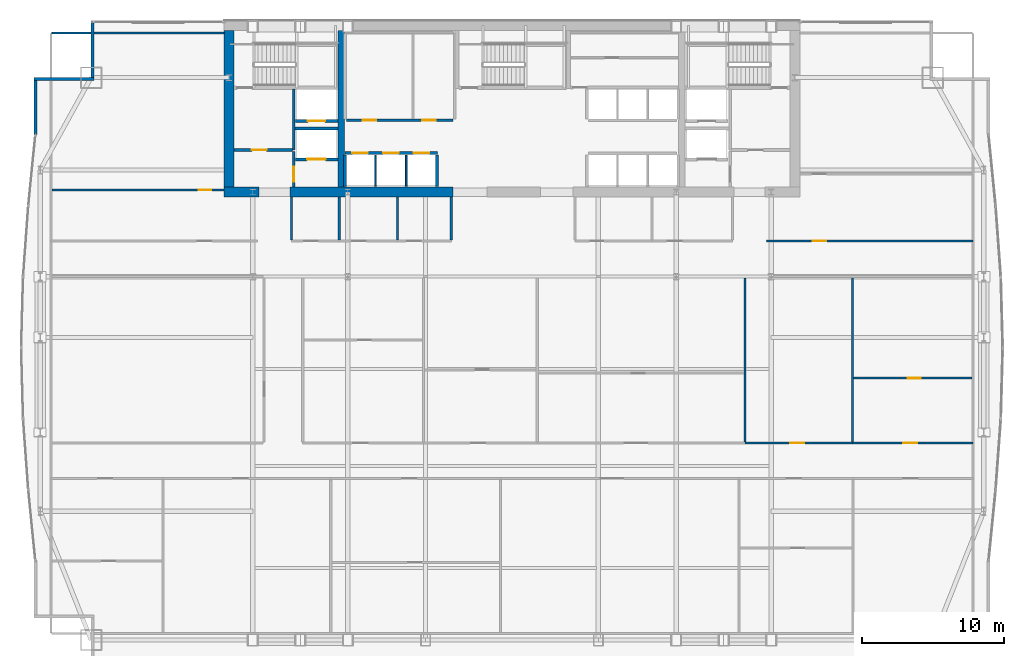
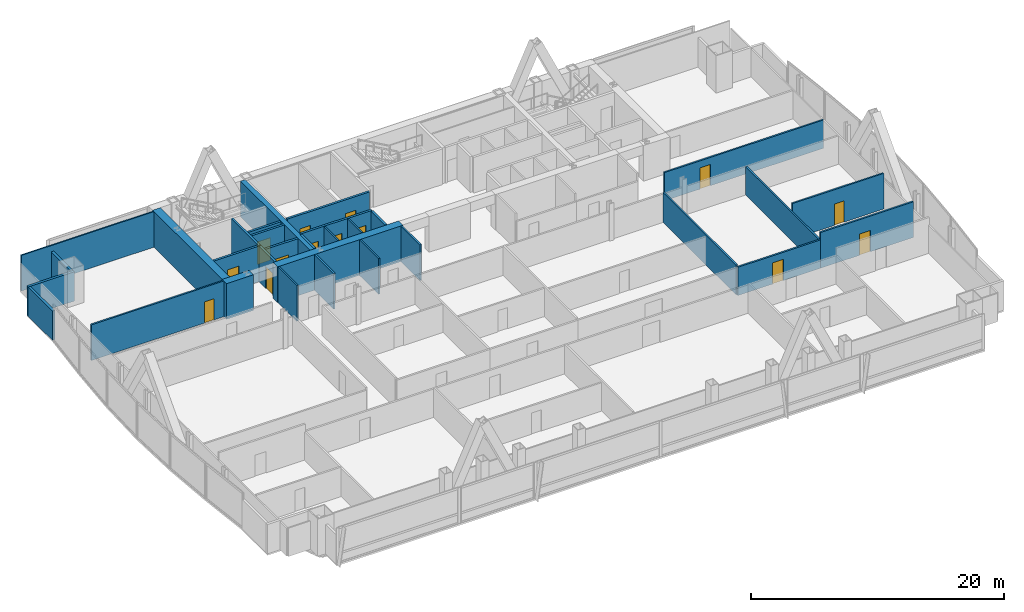
# One storey, part 27 of 31: 31 walls, 14 doors, 14 openings.
"""IFC4 building model written with IfcOpenShell, lengths in metres."""

import ifcopenshell
import ifcopenshell.guid

model = None  # the IFC model being written
_history = None  # IfcOwnerHistory: only IFC2X3 demands one
_inside = {}  # id of a spatial element -> (the spatial element, [elements in it])
_under = {}  # id of a project, library or spatial element -> (it, [spatial elements below it])
_declared = {}  # id of a project -> (the project, [libraries it declares])
_typed = {}  # id of a type object -> (the type object, [elements of that type])
_made_of = {}  # id of a material, layer set ... -> (it, [elements and type objects made of it])


def new_model(schema):
    """Start an empty IFC model of exactly this schema.

    Asked for "IFC4X3", IfcOpenShell would pick the latest addendum, in which some entities
    have other attributes; the version numbers below select the first issue.
    IFC2X3 requires an IfcOwnerHistory on every rooted entity: one is made here for all.
    """
    global model, _history
    if schema == "IFC4X3":
        model = ifcopenshell.file(schema_version=(4, 3, 0, 0))
    else:
        model = ifcopenshell.file(schema=schema)
    _inside.clear()
    _under.clear()
    _declared.clear()
    _typed.clear()
    _made_of.clear()
    _history = None
    if model.schema == "IFC2X3":
        org = make("IfcOrganization", Name="unknown")
        user = make(
            "IfcPersonAndOrganization",
            ThePerson=make("IfcPerson", FamilyName="unknown"),
            TheOrganization=org,
        )
        app = make(
            "IfcApplication",
            ApplicationDeveloper=org,
            Version="unknown",
            ApplicationFullName="unknown",
            ApplicationIdentifier="unknown",
        )
        _history = make(
            "IfcOwnerHistory",
            OwningUser=user,
            OwningApplication=app,
            ChangeAction="ADDED",
            CreationDate=0,
        )
    return model


def make(cls, **values):
    """One entity of the class cls with the attributes given. An attribute that is None is left unset."""
    return model.create_entity(
        cls, **{name: value for name, value in values.items() if value is not None}
    )


def rooted(cls, **values):
    """An entity with a GlobalId (a new one), such as an element, a storey or a relation."""
    return make(cls, GlobalId=ifcopenshell.guid.new(), OwnerHistory=_history, **values)


def si_unit(unit_type, name, prefix=None):
    """IfcSIUnit, for example si_unit("LENGTHUNIT", "METRE", prefix="MILLI")."""
    return make("IfcSIUnit", UnitType=unit_type, Prefix=prefix, Name=name)


def assignment(units):
    """IfcUnitAssignment: the units of a project."""
    return None if units is None else make("IfcUnitAssignment", Units=units)


def point(xyz):
    """IfcCartesianPoint."""
    return None if xyz is None else make("IfcCartesianPoint", Coordinates=xyz)


def direction(xyz):
    """IfcDirection."""
    return None if xyz is None else make("IfcDirection", DirectionRatios=xyz)


def frame(location, z_axis=None, x_axis=None):
    """IfcAxis2Placement3D, a coordinate frame: its origin and axes. An axis left out is left unset."""
    return make(
        "IfcAxis2Placement3D",
        Location=point(location),
        Axis=direction(z_axis),
        RefDirection=direction(x_axis),
    )


def frame_2d(location, x_axis=None):
    """IfcAxis2Placement2D, a coordinate frame in the plane: its origin and x axis."""
    return make(
        "IfcAxis2Placement2D", Location=point(location), RefDirection=direction(x_axis)
    )


def origin():
    """The frame at (0, 0, 0) with its axes left unset."""
    return frame((0.0, 0.0, 0.0))


def place(relative_to, where):
    """IfcLocalPlacement: puts the frame where relative to a parent placement (None: the world)."""
    return make(
        "IfcLocalPlacement", PlacementRelTo=relative_to, RelativePlacement=where
    )


def context(
    kind, dimensions, precision=None, world=None, true_north=None, identifier=None
):
    """IfcGeometricRepresentationContext, for example the 3D "Model" context."""
    return make(
        "IfcGeometricRepresentationContext",
        ContextIdentifier=identifier,
        ContextType=kind,
        CoordinateSpaceDimension=dimensions,
        Precision=precision,
        WorldCoordinateSystem=world,
        TrueNorth=true_north,
    )


def subcontext(parent, identifier, kind, view, scale=None):
    """IfcGeometricRepresentationSubContext, for example "Body" below "Model"."""
    return make(
        "IfcGeometricRepresentationSubContext",
        ContextIdentifier=identifier,
        ContextType=kind,
        ParentContext=parent,
        TargetScale=scale,
        TargetView=view,
    )


def project(units=None, contexts=None):
    """IfcProject with its units and contexts."""
    return rooted(
        "IfcProject",
        Name="project",
        RepresentationContexts=contexts,
        UnitsInContext=assignment(units),
    )


def spatial(cls, under=None, at=None, **own):
    """A site, building, storey or space (cls), placed at a placement, below another one or the project."""
    s = rooted(cls, ObjectPlacement=at, **own)
    if under is not None:
        _under.setdefault(under.id(), (under, []))[1].append(s)
    return s


def profile(cls, at=None, kind="AREA", **sizes):
    """A parametric profile (cls). Its sizes go by their IFC names, for example OverallWidth=200.0."""
    return make(cls, ProfileType=kind, Position=at, **sizes)


def rectangle(**sizes):
    """IfcRectangleProfileDef."""
    return profile("IfcRectangleProfileDef", **sizes)


def extrude(swept, where, along, depth):
    """IfcExtrudedAreaSolid: the profile swept, set in the frame where, extruded along a direction by depth."""
    return make(
        "IfcExtrudedAreaSolid",
        SweptArea=swept,
        Position=where,
        ExtrudedDirection=direction(along),
        Depth=depth,
    )


def shape(context_of_items, identifier, shape_type, items):
    """IfcShapeRepresentation: the items that make up one representation, for example the "Body"."""
    return make(
        "IfcShapeRepresentation",
        ContextOfItems=context_of_items,
        RepresentationIdentifier=identifier,
        RepresentationType=shape_type,
        Items=items,
    )


def material(Name=None, Category=None):
    """IfcMaterial."""
    return make("IfcMaterial", Name=Name, Category=Category)


def layer(
    of_material, thickness, ventilated=None, Name=None, Category=None, Priority=None
):
    """IfcMaterialLayer: one layer of a wall or slab, of a material (None: an air gap)."""
    return make(
        "IfcMaterialLayer",
        Material=of_material,
        LayerThickness=thickness,
        IsVentilated=ventilated,
        Name=Name,
        Category=Category,
        Priority=Priority,
    )


def layer_set(layers, Name=None):
    """IfcMaterialLayerSet."""
    return make("IfcMaterialLayerSet", MaterialLayers=layers, LayerSetName=Name)


def made_of(thing, what):
    """Note that an element or type object is made of a material, layer set ...; save() writes the relation."""
    if what is not None:
        _made_of.setdefault(what.id(), (what, []))[1].append(thing)
    return thing


def type_object(cls, material=None, **own):
    """A type object (cls), such as IfcWallType, which elements share."""
    return made_of(rooted(cls, **own), material)


def element(
    cls,
    number,
    at=None,
    inside=None,
    cuts=None,
    type_object=None,
    material=None,
    context=None,
    identifier="Body",
    shape_type=None,
    held_by="IfcProductDefinitionShape",
    body=None,
    shapes=None,
    **own,
):
    """One element of the class cls, such as IfcWall. Its Tag is "e" and its number.

    at: its placement. inside: the storey or other place that contains it. cuts: it is an
    opening in that element (IfcRelVoidsElement). A single representation is given by context,
    identifier, shape_type and body (its items); several are given by shapes. held_by: the class
    of the entity that holds the representations. save() writes the other relations.
    """
    e = rooted(cls, Tag="e%d" % number, ObjectPlacement=at, **own)
    if body is not None:
        shapes = [shape(context, identifier, shape_type, body)]
    if shapes is not None:
        e.Representation = make(held_by, Representations=shapes)
    if inside is not None:
        _inside.setdefault(inside.id(), (inside, []))[1].append(e)
    if cuts is not None:
        rooted(
            "IfcRelVoidsElement", RelatingBuildingElement=cuts, RelatedOpeningElement=e
        )
    if type_object is not None:
        _typed.setdefault(type_object.id(), (type_object, []))[1].append(e)
    return made_of(e, material)


def fill(opening, filler):
    """IfcRelFillsElement: the door or window that sits in an opening."""
    return rooted(
        "IfcRelFillsElement",
        RelatingOpeningElement=opening,
        RelatedBuildingElement=filler,
    )


def aggregate(whole, parts):
    """IfcRelAggregates: a whole, such as a stair, and the parts it consists of."""
    return rooted("IfcRelAggregates", RelatingObject=whole, RelatedObjects=parts)


def save(model, path):
    """Write the relations noted so far, then the file.

    IfcRelAggregates (storeys below a building ...), IfcRelContainedInSpatialStructure (elements
    in a storey), IfcRelDefinesByType, IfcRelAssociatesMaterial and IfcRelDeclares: one each for
    every whole, place, type object, material and project.
    """
    for whole, parts in _under.values():
        aggregate(whole, parts)
    for where, things in _inside.values():
        rooted(
            "IfcRelContainedInSpatialStructure",
            RelatedElements=things,
            RelatingStructure=where,
        )
    for kind, things in _typed.values():
        rooted("IfcRelDefinesByType", RelatedObjects=things, RelatingType=kind)
    for what, things in _made_of.values():
        rooted("IfcRelAssociatesMaterial", RelatedObjects=things, RelatingMaterial=what)
    for by, libraries in _declared.values():
        rooted("IfcRelDeclares", RelatingContext=by, RelatedDefinitions=libraries)
    model.write(path)


model = new_model("IFC4")

# Units and contexts
model_context = context("Model", 3, precision=1e-05, world=origin(), true_north=direction((0.0, 1.0)))
body_context = subcontext(model_context, "Body", "Model", "MODEL_VIEW")
ifc_project = project(units=[si_unit("LENGTHUNIT", "METRE"), si_unit("AREAUNIT", "SQUARE_METRE"), si_unit("VOLUMEUNIT", "CUBIC_METRE"), si_unit("PLANEANGLEUNIT", "RADIAN"), si_unit("MASSUNIT", "GRAM", prefix="KILO")], contexts=[model_context])

# Site, building, storey
site_placement = place(None, origin())
site = spatial("IfcSite", under=ifc_project, at=site_placement, CompositionType="ELEMENT")
building_placement = place(site_placement, origin())
building = spatial("IfcBuilding", under=site, at=building_placement, Name="Khoronbel Lancet Exchange", CompositionType="ELEMENT")
storey_placement = place(building_placement, frame((0.0, 0.0, 129.0)))
storey = spatial("IfcBuildingStorey", under=building, at=storey_placement, Name="L31", CompositionType="ELEMENT", Elevation=129.0)

# Walls
ifc_material_1 = material(Name="Concrete C80/95", Category="concrete")
ifc_layer_1 = layer(ifc_material_1, 0.699951171875, Name="Concrete C80/95")
ifc_layer_set_1 = layer_set([ifc_layer_1], Name="Concrete C80/95")
wall_type_1 = type_object("IfcWallType", Name="WL-CW2", PredefinedType="SHEAR", material=ifc_layer_set_1)
wall_1_placement = place(storey_placement, frame((16.550048828125, 42.0, 0.0), z_axis=(0.0, 0.0, 1.0), x_axis=(0.0, 1.0, 0.0)))
element("IfcWall", 1, at=wall_1_placement, inside=storey, type_object=wall_type_1, Name="Level L31 rear core west shear wall", PredefinedType="SHEAR", context=body_context, shape_type="SweptSolid", body=[
    extrude(rectangle(XDim=11.0, YDim=0.699951171875, at=frame_2d((5.5, 0.0))), origin(), (0.0, 0.0, 1.0), 3.43994140625),
])
wall_2_placement = place(storey_placement, frame((18.64990234375, 41.64990234375, 0.0), z_axis=(0.0, 0.0, 1.0), x_axis=(-1.0, 0.0, 0.0)))
element("IfcWall", 2, at=wall_2_placement, inside=storey, type_object=wall_type_1, Name="Level L31 rear core south shear wall pier P1", PredefinedType="SHEAR", context=body_context, shape_type="SweptSolid", body=[
    extrude(rectangle(XDim=2.449951171875, YDim=0.699951171875, at=frame_2d((1.22509765625, 0.0))), origin(), (0.0, 0.0, 1.0), 3.43994140625),
])
wall_3_placement = place(storey_placement, frame((32.300048828125, 41.64990234375, 0.0), z_axis=(0.0, 0.0, 1.0), x_axis=(-1.0, 0.0, 0.0)))
element("IfcWall", 3, at=wall_3_placement, inside=storey, type_object=wall_type_1, Name="Level L31 rear core south shear wall pier P2", PredefinedType="SHEAR", context=body_context, shape_type="SweptSolid", body=[
    extrude(rectangle(XDim=11.449951171875, YDim=0.699951171875, at=frame_2d((5.72509765625, 0.0))), origin(), (0.0, 0.0, 1.0), 3.43994140625),
])
ifc_material_2 = material(Name="Precast concrete C40/50", Category="concrete")
ifc_layer_2 = layer(ifc_material_2, 0.25, Name="Precast concrete C40/50")
ifc_layer_set_2 = layer_set([ifc_layer_2], Name="Precast concrete C40/50")
wall_type_2 = type_object("IfcWallType", Name="WL-EXT250", PredefinedType="SOLIDWALL", material=ifc_layer_set_2)
wall_4_placement = place(storey_placement, frame((2.93994140625, 45.675537109375, 0.0), z_axis=(0.0, 0.0, 1.0), x_axis=(0.0, 1.0, 0.0)))
element("IfcWall", 4, at=wall_4_placement, inside=storey, type_object=wall_type_2, Name="Level L31 notched-corner limestone pier 10", PredefinedType="SOLIDWALL", context=body_context, shape_type="SweptSolid", body=[
    extrude(rectangle(XDim=3.824462890625, YDim=0.219970703125, at=frame_2d((1.912109375, 0.0))), origin(), (0.0, 0.0, 1.0), 2.830078125),
])
wall_5_placement = place(storey_placement, frame((2.830078125, 49.610107421875, 0.0), z_axis=(0.0, 0.0, 1.0), x_axis=(1.0, 0.0, 0.0)))
element("IfcWall", 5, at=wall_5_placement, inside=storey, type_object=wall_type_2, Name="Level L31 notched-corner limestone pier 11", PredefinedType="SOLIDWALL", context=body_context, shape_type="SweptSolid", body=[
    extrude(rectangle(XDim=4.219970703125, YDim=0.219970703125, at=frame_2d((2.10986328125, 0.0))), origin(), (0.0, 0.0, 1.0), 2.830078125),
])
wall_6_placement = place(storey_placement, frame((6.93994140625, 49.719970703125, 0.0), z_axis=(0.0, 0.0, 1.0), x_axis=(0.0, 1.0, 0.0)))
element("IfcWall", 6, at=wall_6_placement, inside=storey, type_object=wall_type_2, Name="Level L31 notched-corner limestone pier 12", PredefinedType="SOLIDWALL", context=body_context, shape_type="SweptSolid", body=[
    extrude(rectangle(XDim=3.909912109375, YDim=0.219970703125, at=frame_2d((1.955078125, 0.0))), origin(), (0.0, 0.0, 1.0), 2.830078125),
])
ifc_material_3 = material(Name="Acoustic Metal-Stud & Mineral-Wool Gypsum Partition 120 mm", Category="gypsum")
ifc_layer_3 = layer(ifc_material_3, 0.1201171875, Name="Acoustic Metal-Stud & Mineral-Wool Gypsum Partition 120 mm")
ifc_layer_set_3 = layer_set([ifc_layer_3], Name="Acoustic Metal-Stud & Mineral-Wool Gypsum Partition 120 mm")
wall_type_3 = type_object("IfcWallType", Name="WL-PRT120", PredefinedType="PARTITIONING", material=ifc_layer_set_3)
for number, where, z_axis, x_axis, name in (
    (7, (20.949951171875, 38.280029296875, 0.0), (0.0, 0.0, 1.0), (0.0, 1.0, 0.0), "Level L31 interior partition PW-WC-0"),
    (8, (24.300048828125, 38.280029296875, 0.0), (0.0, 0.0, 1.0), (0.0, 1.0, 0.0), "Level L31 interior partition PW-WC-1"),
    (9, (28.39990234375, 38.280029296875, 0.0), (0.0, 0.0, 1.0), (0.0, 1.0, 0.0), "Level L31 interior partition PW-WC-2"),
    (10, (32.179931640625, 38.280029296875, 0.0), (0.0, 0.0, 1.0), (0.0, 1.0, 0.0), "Level L31 interior partition PW-WC-3"),
):
    element("IfcWall", number, at=place(storey_placement, frame(where, z_axis=z_axis, x_axis=x_axis)), inside=storey, type_object=wall_type_3, Name=name, PredefinedType="PARTITIONING", context=body_context, shape_type="SweptSolid", body=[
        extrude(rectangle(XDim=3.02001953125, YDim=0.14990234375, at=frame_2d((1.510009765625, 0.0))), origin(), (0.0, 0.0, 1.0), 3.43994140625),
    ])

# Wall, opening, door
wall_7_placement = place(storey_placement, frame((4.094970703125, 41.800048828125, 0.0), z_axis=(0.0, 0.0, 1.0), x_axis=(1.0, 0.0, 0.0)))
wall_7 = element("IfcWall", 11, at=wall_7_placement, inside=storey, type_object=wall_type_3, Name="Level L31 interior partition PW-NW-H", PredefinedType="PARTITIONING", context=body_context, shape_type="SweptSolid", body=[
    extrude(rectangle(XDim=12.10498046875, YDim=0.14990234375, at=frame_2d((6.052490234375, 0.0))), origin(), (0.0, 0.0, 1.0), 3.43994140625),
])
opening_1_placement = place(wall_7_placement, frame((10.320068359375, 0.0, 0.0)))
opening_1 = element("IfcOpeningElement", 12, at=opening_1_placement, cuts=wall_7, Name="Opening D5", PredefinedType="OPENING", context=body_context, shape_type="SweptSolid", body=[
    extrude(rectangle(XDim=0.89990234375, YDim=2.050048828125, at=frame_2d((0.449951171875, 1.02490234375))), frame((0.0, 0.0849609375, 0.0), z_axis=(0.0, -1.0, 0.0), x_axis=(1.0, 0.0, 0.0)), (0.0, 0.0, 1.0), 0.169921875),
])
ifc_material_4 = material(Name="Acoustic Timber Pantry & Support Door", Category="wood")
door_type_1 = type_object("IfcDoorType", Name="DR-D5", OperationType="NOTDEFINED", PredefinedType="DOOR", material=ifc_material_4)
door_1_placement = place(opening_1_placement, origin())
door_1 = element("IfcDoor", 13, at=door_1_placement, inside=storey, type_object=door_type_1, Name="NW north room door L31-1", OperationType="SINGLE_SWING_RIGHT", OverallHeight=2.050048828125, OverallWidth=0.89990234375, PredefinedType="DOOR", context=body_context, shape_type="SweptSolid", body=[
    extrude(rectangle(XDim=0.89990234375, YDim=2.050048828125, at=frame_2d((0.449951171875, 1.02490234375))), frame((0.0, 0.02490234375, 0.0), z_axis=(0.0, -1.0, 0.0), x_axis=(1.0, 0.0, 0.0)), (0.0, 0.0, 1.0), 0.050048828125),
])
fill(opening_1, door_1)

wall_8_placement = place(storey_placement, frame((60.46484375, 28.56298828125, 0.0), z_axis=(0.0, 0.0, 1.0), x_axis=(1.0, 0.0, 0.0)))
wall_8 = element("IfcWall", 14, at=wall_8_placement, inside=storey, type_object=wall_type_3, Name="Level L31 interior partition PW-Z2N-H5", PredefinedType="PARTITIONING", context=body_context, shape_type="SweptSolid", body=[
    extrude(rectangle(XDim=8.340087890625, YDim=0.14990234375, at=frame_2d((4.169921875, 0.0))), origin(), (0.0, 0.0, 1.0), 3.43994140625),
])
opening_2_placement = place(wall_8_placement, frame((3.818359375, 0.0, 0.0)))
opening_2 = element("IfcOpeningElement", 15, at=opening_2_placement, cuts=wall_8, Name="Opening D5", PredefinedType="OPENING", context=body_context, shape_type="SweptSolid", body=[
    extrude(rectangle(XDim=0.89990234375, YDim=2.050048828125, at=frame_2d((0.449951171875, 1.02490234375))), frame((0.0, 0.0849609375, 0.0), z_axis=(0.0, -1.0, 0.0), x_axis=(1.0, 0.0, 0.0)), (0.0, 0.0, 1.0), 0.169921875),
])
door_2_placement = place(opening_2_placement, origin())
door_2 = element("IfcDoor", 16, at=door_2_placement, inside=storey, type_object=door_type_1, Name="Z2N inner door 5 L31-1", OperationType="SINGLE_SWING_RIGHT", OverallHeight=2.050048828125, OverallWidth=0.89990234375, PredefinedType="DOOR", context=body_context, shape_type="SweptSolid", body=[
    extrude(rectangle(XDim=0.89990234375, YDim=2.050048828125, at=frame_2d((0.449951171875, 1.02490234375))), frame((0.0, 0.02490234375, 0.0), z_axis=(0.0, -1.0, 0.0), x_axis=(1.0, 0.0, 0.0)), (0.0, 0.0, 1.0), 0.050048828125),
])
fill(opening_2, door_2)

# Walls
wall_9_placement = place(storey_placement, frame((4.094970703125, 52.840087890625, 0.0), z_axis=(0.0, 0.0, 1.0), x_axis=(1.0, 0.0, 0.0)))
element("IfcWall", 17, at=wall_9_placement, inside=storey, type_object=wall_type_3, Name="Level L31 interior partition PW-LIN-NW", PredefinedType="PARTITIONING", context=body_context, shape_type="SweptSolid", body=[
    extrude(rectangle(XDim=12.10498046875, YDim=0.1201171875, at=frame_2d((6.052490234375, 0.0))), origin(), (0.0, 0.0, 1.0), 3.43994140625),
])
ifc_material_5 = material(Name="Fire-Rated Metal-Stud & Mineral-Wool Gypsum Partition 120 mm", Category="gypsum")
ifc_layer_4 = layer(ifc_material_5, 0.1201171875, Name="Fire-Rated Metal-Stud & Mineral-Wool Gypsum Partition 120 mm")
ifc_layer_set_4 = layer_set([ifc_layer_4], Name="Fire-Rated Metal-Stud & Mineral-Wool Gypsum Partition 120 mm")
wall_type_4 = type_object("IfcWallType", Name="WL-PRT120F", PredefinedType="PARTITIONING", material=ifc_layer_set_4)
for number, where, z_axis, x_axis, name in (
    (18, (26.860107421875, 42.050048828125, 0.0), (0.0, 0.0, 1.0), (0.0, 1.0, 0.0), "Level L31 interior partition CW-PM-D1"),
    (19, (29.02001953125, 42.050048828125, 0.0), (0.0, 0.0, 1.0), (0.0, 1.0, 0.0), "Level L31 interior partition CW-PM-D2"),
):
    element("IfcWall", number, at=place(storey_placement, frame(where, z_axis=z_axis, x_axis=x_axis)), inside=storey, type_object=wall_type_4, Name=name, PredefinedType="PARTITIONING", context=body_context, shape_type="SweptSolid", body=[
        extrude(rectangle(XDim=2.199951171875, YDim=0.1201171875, at=frame_2d((1.10009765625, 0.0))), origin(), (0.0, 0.0, 1.0), 3.43994140625),
    ])

# Wall, opening, door
ifc_material_6 = material(Name="Fire-Rated Twin-Stud Acoustic Gypsum Partition 150 mm", Category="gypsum")
ifc_layer_5 = layer(ifc_material_6, 0.14990234375, Name="Fire-Rated Twin-Stud Acoustic Gypsum Partition 150 mm")
ifc_layer_set_5 = layer_set([ifc_layer_5], Name="Fire-Rated Twin-Stud Acoustic Gypsum Partition 150 mm")
wall_type_5 = type_object("IfcWallType", Name="WL-PRT150C", PredefinedType="PARTITIONING", material=ifc_layer_set_5)
wall_10_placement = place(storey_placement, frame((54.35009765625, 38.199951171875, 0.0), z_axis=(0.0, 0.0, 1.0), x_axis=(1.0, 0.0, 0.0)))
wall_10 = element("IfcWall", 20, at=wall_10_placement, inside=storey, type_object=wall_type_5, Name="Level L31 interior partition PW-NE-S", PredefinedType="PARTITIONING", context=body_context, shape_type="SweptSolid", body=[
    extrude(rectangle(XDim=14.52001953125, YDim=0.14990234375, at=frame_2d((7.260009765625, 0.0))), origin(), (0.0, 0.0, 1.0), 2.72998046875),
])
opening_3_placement = place(wall_10_placement, frame((3.25, 0.0, 0.0)))
opening_3 = element("IfcOpeningElement", 21, at=opening_3_placement, cuts=wall_10, Name="Opening D1", PredefinedType="OPENING", context=body_context, shape_type="SweptSolid", body=[
    extrude(rectangle(XDim=0.949951171875, YDim=2.050048828125, at=frame_2d((0.47509765625, 1.02490234375))), frame((0.0, 0.0849609375, 0.0), z_axis=(0.0, -1.0, 0.0), x_axis=(1.0, 0.0, 0.0)), (0.0, 0.0, 1.0), 0.169921875),
])
ifc_material_7 = material(Name="Acoustic Veneered Timber & Bronze Frame Door", Category="wood")
door_type_2 = type_object("IfcDoorType", Name="DR-D1", OperationType="NOTDEFINED", PredefinedType="DOOR", material=ifc_material_7)
door_3_placement = place(opening_3_placement, origin())
door_3 = element("IfcDoor", 22, at=door_3_placement, inside=storey, type_object=door_type_2, Name="NE corner room door L31-1", OperationType="SINGLE_SWING_LEFT", OverallHeight=2.050048828125, OverallWidth=0.949951171875, PredefinedType="DOOR", context=body_context, shape_type="SweptSolid", body=[
    extrude(rectangle(XDim=0.949951171875, YDim=2.050048828125, at=frame_2d((0.47509765625, 1.02490234375))), frame((0.0, 0.02490234375, 0.0), z_axis=(0.0, -1.0, 0.0), x_axis=(1.0, 0.0, 0.0)), (0.0, 0.0, 1.0), 0.050048828125),
])
fill(opening_3, door_3)

# Walls
wall_11_placement = place(storey_placement, frame((52.84228515625, 24.0849609375, 0.0), z_axis=(0.0, 0.0, 1.0), x_axis=(0.0, 1.0, 0.0)))
element("IfcWall", 23, at=wall_11_placement, inside=storey, type_object=wall_type_5, Name="Level L31 interior partition PW-Z2N-V3", PredefinedType="PARTITIONING", context=body_context, shape_type="SweptSolid", body=[
    extrude(rectangle(XDim=11.53515625, YDim=0.14990234375, at=frame_2d((5.767578125, 0.0))), origin(), (0.0, 0.0, 1.0), 2.8798828125),
])
wall_12_placement = place(storey_placement, frame((60.384765625, 24.0849609375, 0.0), z_axis=(0.0, 0.0, 1.0), x_axis=(0.0, 1.0, 0.0)))
element("IfcWall", 24, at=wall_12_placement, inside=storey, type_object=wall_type_5, Name="Level L31 interior partition PW-Z2N-V4", PredefinedType="PARTITIONING", context=body_context, shape_type="SweptSolid", body=[
    extrude(rectangle(XDim=11.53515625, YDim=0.14990234375, at=frame_2d((5.767578125, 0.0))), origin(), (0.0, 0.0, 1.0), 2.72998046875),
])

# Wall, opening, door
ifc_material_8 = material(Name="Fire-Rated Twin-Stud Acoustic Gypsum Partition 160 mm", Category="gypsum")
ifc_layer_6 = layer(ifc_material_8, 0.159912109375, Name="Fire-Rated Twin-Stud Acoustic Gypsum Partition 160 mm")
ifc_layer_set_6 = layer_set([ifc_layer_6], Name="Fire-Rated Twin-Stud Acoustic Gypsum Partition 160 mm")
wall_type_6 = type_object("IfcWallType", Name="WL-PRT160C", PredefinedType="PARTITIONING", material=ifc_layer_set_6)
wall_13_placement = place(storey_placement, frame((52.84228515625, 24.0, 0.0), z_axis=(0.0, 0.0, 1.0), x_axis=(1.0, 0.0, 0.0)))
wall_13 = element("IfcWall", 25, at=wall_13_placement, inside=storey, type_object=wall_type_6, Name="Level L31 interior partition PW-Z2N-COR4", PredefinedType="PARTITIONING", context=body_context, shape_type="SweptSolid", body=[
    extrude(rectangle(XDim=7.54248046875, YDim=0.159912109375, at=frame_2d((3.771240234375, 0.0))), origin(), (0.0, 0.0, 1.0), 2.72998046875),
])
opening_4_placement = place(wall_13_placement, frame((3.167724609375, 0.0, 0.0)))
opening_4 = element("IfcOpeningElement", 26, at=opening_4_placement, cuts=wall_13, Name="Opening D2", PredefinedType="OPENING", context=body_context, shape_type="SweptSolid", body=[
    extrude(rectangle(XDim=1.0, YDim=2.050048828125, at=frame_2d((0.5, 1.02490234375))), frame((0.0, 0.08984375, 0.0), z_axis=(0.0, -1.0, 0.0), x_axis=(1.0, 0.0, 0.0)), (0.0, 0.0, 1.0), 0.179931640625),
])
door_type_3 = type_object("IfcDoorType", Name="DR-D2", OperationType="NOTDEFINED", PredefinedType="DOOR", material=ifc_material_7)
door_4_placement = place(opening_4_placement, origin())
door_4 = element("IfcDoor", 27, at=door_4_placement, inside=storey, type_object=door_type_3, Name="Z2N bay 4 door L31-1", OperationType="SINGLE_SWING_RIGHT", OverallHeight=2.050048828125, OverallWidth=1.0, PredefinedType="DOOR", context=body_context, shape_type="SweptSolid", body=[
    extrude(rectangle(XDim=1.0, YDim=2.050048828125, at=frame_2d((0.5, 1.02490234375))), frame((0.0, 0.02490234375, 0.0), z_axis=(0.0, -1.0, 0.0), x_axis=(1.0, 0.0, 0.0)), (0.0, 0.0, 1.0), 0.050048828125),
])
fill(opening_4, door_4)

wall_14_placement = place(storey_placement, frame((60.384765625, 24.0, 0.0), z_axis=(0.0, 0.0, 1.0), x_axis=(1.0, 0.0, 0.0)))
wall_14 = element("IfcWall", 28, at=wall_14_placement, inside=storey, type_object=wall_type_6, Name="Level L31 interior partition PW-Z2N-COR5", PredefinedType="PARTITIONING", context=body_context, shape_type="SweptSolid", body=[
    extrude(rectangle(XDim=8.4853515625, YDim=0.159912109375, at=frame_2d((4.24267578125, 0.0))), origin(), (0.0, 0.0, 1.0), 3.43994140625),
])
opening_5_placement = place(wall_14_placement, frame((3.563720703125, 0.0, 0.0)))
opening_5 = element("IfcOpeningElement", 29, at=opening_5_placement, cuts=wall_14, Name="Opening D2", PredefinedType="OPENING", context=body_context, shape_type="SweptSolid", body=[
    extrude(rectangle(XDim=1.0, YDim=2.050048828125, at=frame_2d((0.5, 1.02490234375))), frame((0.0, 0.08984375, 0.0), z_axis=(0.0, -1.0, 0.0), x_axis=(1.0, 0.0, 0.0)), (0.0, 0.0, 1.0), 0.179931640625),
])
door_5_placement = place(opening_5_placement, origin())
door_5 = element("IfcDoor", 30, at=door_5_placement, inside=storey, type_object=door_type_3, Name="Z2N bay 5 door L31-1", OperationType="SINGLE_SWING_LEFT", OverallHeight=2.050048828125, OverallWidth=1.0, PredefinedType="DOOR", context=body_context, shape_type="SweptSolid", body=[
    extrude(rectangle(XDim=1.0, YDim=2.050048828125, at=frame_2d((0.5, 1.02490234375))), frame((0.0, 0.02490234375, 0.0), z_axis=(0.0, -1.0, 0.0), x_axis=(1.0, 0.0, 0.0)), (0.0, 0.0, 1.0), 0.050048828125),
])
fill(opening_5, door_5)

# Wall, openings, doors
ifc_material_9 = material(Name="Autoclaved Aerated Concrete Blockwork 200 mm", Category="masonry")
ifc_layer_7 = layer(ifc_material_9, 0.199951171875, Name="Autoclaved Aerated Concrete Blockwork 200 mm")
ifc_layer_set_7 = layer_set([ifc_layer_7], Name="Autoclaved Aerated Concrete Blockwork 200 mm")
wall_type_7 = type_object("IfcWallType", Name="WL-PRT200", PredefinedType="PARTITIONING", material=ifc_layer_set_7)
wall_15_placement = place(storey_placement, frame((24.68994140625, 44.39990234375, 0.0), z_axis=(0.0, 0.0, 1.0), x_axis=(1.0, 0.0, 0.0)))
wall_15 = element("IfcWall", 31, at=wall_15_placement, inside=storey, type_object=wall_type_7, Name="Level L31 elevator hoistway landing front wall PMW", PredefinedType="PARTITIONING", context=body_context, shape_type="SweptSolid", body=[
    extrude(rectangle(XDim=6.530029296875, YDim=0.199951171875, at=frame_2d((3.26513671875, 0.0))), origin(), (0.0, 0.0, 1.0), 3.43994140625),
])
opening_6_placement = place(wall_15_placement, frame((0.530029296875, 0.0, 0.0)))
opening_6 = element("IfcOpeningElement", 32, at=opening_6_placement, cuts=wall_15, Name="Opening LD-PM1", PredefinedType="OPENING", context=body_context, shape_type="SweptSolid", body=[
    extrude(rectangle(XDim=1.10009765625, YDim=2.179931640625, at=frame_2d((0.550048828125, 1.08984375))), frame((0.0, 0.10986328125, 0.0), z_axis=(0.0, -1.0, 0.0), x_axis=(1.0, 0.0, 0.0)), (0.0, 0.0, 1.0), 0.219970703125),
])
opening_7_placement = place(wall_15_placement, frame((2.68994140625, 0.0, 0.0)))
opening_7 = element("IfcOpeningElement", 33, at=opening_7_placement, cuts=wall_15, Name="Opening LD-PM2", PredefinedType="OPENING", context=body_context, shape_type="SweptSolid", body=[
    extrude(rectangle(XDim=1.10009765625, YDim=2.179931640625, at=frame_2d((0.550048828125, 1.08984375))), frame((0.0, 0.10986328125, 0.0), z_axis=(0.0, -1.0, 0.0), x_axis=(1.0, 0.0, 0.0)), (0.0, 0.0, 1.0), 0.219970703125),
])
opening_8_placement = place(wall_15_placement, frame((4.85009765625, 0.0, 0.0)))
opening_8 = element("IfcOpeningElement", 34, at=opening_8_placement, cuts=wall_15, Name="Opening LD-PM3", PredefinedType="OPENING", context=body_context, shape_type="SweptSolid", body=[
    extrude(rectangle(XDim=1.10009765625, YDim=2.179931640625, at=frame_2d((0.550048828125, 1.08984375))), frame((0.0, 0.10986328125, 0.0), z_axis=(0.0, -1.0, 0.0), x_axis=(1.0, 0.0, 0.0)), (0.0, 0.0, 1.0), 0.219970703125),
])
ifc_material_10 = material(Name="Brushed Bronze Bi-Parting Elevator Landing Door", Category="steel")
door_type_4 = type_object("IfcDoorType", Name="DR-LD-PAX", OperationType="NOTDEFINED", PredefinedType="DOOR", material=ifc_material_10)
door_6_placement = place(opening_6_placement, origin())
door_6 = element("IfcDoor", 35, at=door_6_placement, inside=storey, type_object=door_type_4, Name="Elevator landing sliding door LD-PM1 L31", OperationType="SLIDING_TO_LEFT", OverallHeight=2.179931640625, OverallWidth=1.10009765625, PredefinedType="DOOR", context=body_context, shape_type="SweptSolid", body=[
    extrude(rectangle(XDim=1.10009765625, YDim=2.179931640625, at=frame_2d((0.550048828125, 1.08984375))), frame((0.0, 0.02490234375, 0.0), z_axis=(0.0, -1.0, 0.0), x_axis=(1.0, 0.0, 0.0)), (0.0, 0.0, 1.0), 0.050048828125),
])
fill(opening_6, door_6)
door_7_placement = place(opening_7_placement, origin())
door_7 = element("IfcDoor", 36, at=door_7_placement, inside=storey, type_object=door_type_4, Name="Elevator landing sliding door LD-PM2 L31", OperationType="SLIDING_TO_LEFT", OverallHeight=2.179931640625, OverallWidth=1.10009765625, PredefinedType="DOOR", context=body_context, shape_type="SweptSolid", body=[
    extrude(rectangle(XDim=1.10009765625, YDim=2.179931640625, at=frame_2d((0.550048828125, 1.08984375))), frame((0.0, 0.02490234375, 0.0), z_axis=(0.0, -1.0, 0.0), x_axis=(1.0, 0.0, 0.0)), (0.0, 0.0, 1.0), 0.050048828125),
])
fill(opening_7, door_7)
door_8_placement = place(opening_8_placement, origin())
door_8 = element("IfcDoor", 37, at=door_8_placement, inside=storey, type_object=door_type_4, Name="Elevator landing sliding door LD-PM3 L31", OperationType="SLIDING_TO_LEFT", OverallHeight=2.179931640625, OverallWidth=1.10009765625, PredefinedType="DOOR", context=body_context, shape_type="SweptSolid", body=[
    extrude(rectangle(XDim=1.10009765625, YDim=2.179931640625, at=frame_2d((0.550048828125, 1.08984375))), frame((0.0, 0.02490234375, 0.0), z_axis=(0.0, -1.0, 0.0), x_axis=(1.0, 0.0, 0.0)), (0.0, 0.0, 1.0), 0.050048828125),
])
fill(opening_8, door_8)

# Wall, opening, door
wall_16_placement = place(storey_placement, frame((24.2099609375, 43.949951171875, 0.0), z_axis=(0.0, 0.0, 1.0), x_axis=(-1.0, 0.0, 0.0)))
wall_16 = element("IfcWall", 38, at=wall_16_placement, inside=storey, type_object=wall_type_7, Name="Level L31 elevator hoistway landing front wall SVLW", PredefinedType="PARTITIONING", context=body_context, shape_type="SweptSolid", body=[
    extrude(rectangle(XDim=2.969970703125, YDim=0.199951171875, at=frame_2d((1.48486328125, 0.0))), origin(), (0.0, 0.0, 1.0), 3.43994140625),
])
opening_9_placement = place(wall_16_placement, frame((0.860107421875, 0.0, 0.0)))
opening_9 = element("IfcOpeningElement", 39, at=opening_9_placement, cuts=wall_16, Name="Opening LD-SVL1", PredefinedType="OPENING", context=body_context, shape_type="SweptSolid", body=[
    extrude(rectangle(XDim=1.300048828125, YDim=2.179931640625, at=frame_2d((0.64990234375, 1.08984375))), frame((0.0, 0.10986328125, 0.0), z_axis=(0.0, -1.0, 0.0), x_axis=(1.0, 0.0, 0.0)), (0.0, 0.0, 1.0), 0.219970703125),
])
ifc_material_11 = material(Name="Heavy-Duty Bi-Parting Goods Lift Landing Door", Category="steel")
door_type_5 = type_object("IfcDoorType", Name="DR-LD-SVL", OperationType="NOTDEFINED", PredefinedType="DOOR", material=ifc_material_11)
door_9_placement = place(opening_9_placement, origin())
door_9 = element("IfcDoor", 40, at=door_9_placement, inside=storey, type_object=door_type_5, Name="Elevator landing sliding door LD-SVL1 L31", OperationType="SLIDING_TO_LEFT", OverallHeight=2.179931640625, OverallWidth=1.300048828125, PredefinedType="DOOR", context=body_context, shape_type="SweptSolid", body=[
    extrude(rectangle(XDim=1.300048828125, YDim=2.179931640625, at=frame_2d((0.64990234375, 1.08984375))), frame((0.0, 0.02490234375, 0.0), z_axis=(0.0, -1.0, 0.0), x_axis=(1.0, 0.0, 0.0)), (0.0, 0.0, 1.0), 0.050048828125),
])
fill(opening_9, door_9)

wall_17_placement = place(storey_placement, frame((24.2099609375, 46.64990234375, 0.0), z_axis=(0.0, 0.0, 1.0), x_axis=(-1.0, 0.0, 0.0)))
wall_17 = element("IfcWall", 41, at=wall_17_placement, inside=storey, type_object=wall_type_7, Name="Level L31 elevator hoistway landing front wall FFLW", PredefinedType="PARTITIONING", context=body_context, shape_type="SweptSolid", body=[
    extrude(rectangle(XDim=2.969970703125, YDim=0.199951171875, at=frame_2d((1.48486328125, 0.0))), origin(), (0.0, 0.0, 1.0), 3.43994140625),
])
opening_10_placement = place(wall_17_placement, frame((0.909912109375, 0.0, 0.0)))
opening_10 = element("IfcOpeningElement", 42, at=opening_10_placement, cuts=wall_17, Name="Opening LD-FFL1", PredefinedType="OPENING", context=body_context, shape_type="SweptSolid", body=[
    extrude(rectangle(XDim=1.199951171875, YDim=2.179931640625, at=frame_2d((0.60009765625, 1.08984375))), frame((0.0, 0.10986328125, 0.0), z_axis=(0.0, -1.0, 0.0), x_axis=(1.0, 0.0, 0.0)), (0.0, 0.0, 1.0), 0.219970703125),
])
ifc_material_12 = material(Name="Fire-Rated Stainless Bi-Parting Firefighting Lift Door", Category="steel")
door_type_6 = type_object("IfcDoorType", Name="DR-LD-FFL", OperationType="NOTDEFINED", PredefinedType="DOOR", material=ifc_material_12)
door_10_placement = place(opening_10_placement, origin())
door_10 = element("IfcDoor", 43, at=door_10_placement, inside=storey, type_object=door_type_6, Name="Elevator landing sliding door LD-FFL1 L31", OperationType="SLIDING_TO_LEFT", OverallHeight=2.179931640625, OverallWidth=1.199951171875, PredefinedType="DOOR", context=body_context, shape_type="SweptSolid", body=[
    extrude(rectangle(XDim=1.199951171875, YDim=2.179931640625, at=frame_2d((0.60009765625, 1.08984375))), frame((0.0, 0.02490234375, 0.0), z_axis=(0.0, -1.0, 0.0), x_axis=(1.0, 0.0, 0.0)), (0.0, 0.0, 1.0), 0.050048828125),
])
fill(opening_10, door_10)

# Wall
wall_18_placement = place(storey_placement, frame((21.10009765625, 44.60009765625, 0.0), z_axis=(0.0, 0.0, 1.0), x_axis=(0.0, 1.0, 0.0)))
element("IfcWall", 44, at=wall_18_placement, inside=storey, type_object=wall_type_7, Name="Level L31 interior partition CW-FFLW-E", PredefinedType="PARTITIONING", context=body_context, shape_type="SweptSolid", body=[
    extrude(rectangle(XDim=4.2998046875, YDim=0.199951171875, at=frame_2d((2.14990234375, 0.0))), origin(), (0.0, 0.0, 1.0), 3.43994140625),
])

# Wall, opening, door
wall_19_placement = place(storey_placement, frame((16.89990234375, 44.60009765625, 0.0), z_axis=(0.0, 0.0, 1.0), x_axis=(1.0, 0.0, 0.0)))
wall_19 = element("IfcWall", 45, at=wall_19_placement, inside=storey, type_object=wall_type_7, Name="Level L31 interior partition CW-FFLW-S", PredefinedType="PARTITIONING", context=body_context, shape_type="SweptSolid", body=[
    extrude(rectangle(XDim=4.10009765625, YDim=0.199951171875, at=frame_2d((2.050048828125, 0.0))), origin(), (0.0, 0.0, 1.0), 3.43994140625),
])
opening_11_placement = place(wall_19_placement, frame((1.25, 0.0, 0.0)))
opening_11 = element("IfcOpeningElement", 46, at=opening_11_placement, cuts=wall_19, Name="Opening FD1", PredefinedType="OPENING", context=body_context, shape_type="SweptSolid", body=[
    extrude(rectangle(XDim=1.050048828125, YDim=2.14990234375, at=frame_2d((0.52490234375, 1.074951171875))), frame((0.0, 0.10986328125, 0.0), z_axis=(0.0, -1.0, 0.0), x_axis=(1.0, 0.0, 0.0)), (0.0, 0.0, 1.0), 0.219970703125),
])
ifc_material_13 = material(Name="Fire-Rated Painted Steel Door Assembly", Category="steel")
door_type_7 = type_object("IfcDoorType", Name="DR-FD1", OperationType="NOTDEFINED", PredefinedType="DOOR", material=ifc_material_13)
door_11_placement = place(opening_11_placement, origin())
door_11 = element("IfcDoor", 47, at=door_11_placement, inside=storey, type_object=door_type_7, Name="West firefighting lobby FD90S door L31-1", OperationType="SINGLE_SWING_LEFT", OverallHeight=2.14990234375, OverallWidth=1.050048828125, PredefinedType="DOOR", context=body_context, shape_type="SweptSolid", body=[
    extrude(rectangle(XDim=1.050048828125, YDim=2.14990234375, at=frame_2d((0.52490234375, 1.074951171875))), frame((0.0, 0.02490234375, 0.0), z_axis=(0.0, -1.0, 0.0), x_axis=(1.0, 0.0, 0.0)), (0.0, 0.0, 1.0), 0.050048828125),
])
fill(opening_11, door_11)

# Wall
wall_20_placement = place(storey_placement, frame((21.199951171875, 46.1201171875, 0.0), z_axis=(0.0, 0.0, 1.0), x_axis=(1.0, 0.0, 0.0)))
element("IfcWall", 48, at=wall_20_placement, inside=storey, type_object=wall_type_7, Name="Level L31 interior partition CW-FFL1-S", PredefinedType="PARTITIONING", context=body_context, shape_type="SweptSolid", body=[
    extrude(rectangle(XDim=3.02001953125, YDim=0.199951171875, at=frame_2d((1.510009765625, 0.0))), origin(), (0.0, 0.0, 1.0), 3.43994140625),
])

# Wall, opening, door
wall_21_placement = place(storey_placement, frame((21.10009765625, 42.0, 0.0), z_axis=(0.0, 0.0, 1.0), x_axis=(0.0, 1.0, 0.0)))
wall_21 = element("IfcWall", 49, at=wall_21_placement, inside=storey, type_object=wall_type_7, Name="Level L31 interior partition CW-SVLW-W", PredefinedType="PARTITIONING", context=body_context, shape_type="SweptSolid", body=[
    extrude(rectangle(XDim=2.4951171875, YDim=0.199951171875, at=frame_2d((1.24755859375, 0.0))), origin(), (0.0, 0.0, 1.0), 3.43994140625),
])
opening_12_placement = place(wall_21_placement, frame((0.3798828125, 0.0, 0.0)))
opening_12 = element("IfcOpeningElement", 50, at=opening_12_placement, cuts=wall_21, Name="Opening FD1", PredefinedType="OPENING", context=body_context, shape_type="SweptSolid", body=[
    extrude(rectangle(XDim=1.050048828125, YDim=2.14990234375, at=frame_2d((0.52490234375, 1.074951171875))), frame((0.0, 0.10986328125, 0.0), z_axis=(0.0, -1.0, 0.0), x_axis=(1.0, 0.0, 0.0)), (0.0, 0.0, 1.0), 0.219970703125),
])
door_12_placement = place(opening_12_placement, origin())
door_12 = element("IfcDoor", 51, at=door_12_placement, inside=storey, type_object=door_type_7, Name="West service lift lobby door L31-1", OperationType="SINGLE_SWING_RIGHT", OverallHeight=2.14990234375, OverallWidth=1.050048828125, PredefinedType="DOOR", context=body_context, shape_type="SweptSolid", body=[
    extrude(rectangle(XDim=1.050048828125, YDim=2.14990234375, at=frame_2d((0.52490234375, 1.074951171875))), frame((0.0, 0.02490234375, 0.0), z_axis=(0.0, -1.0, 0.0), x_axis=(1.0, 0.0, 0.0)), (0.0, 0.0, 1.0), 0.050048828125),
])
fill(opening_12, door_12)

# Wall, openings, doors
wall_22_placement = place(storey_placement, frame((24.804931640625, 46.699951171875, 0.0), z_axis=(0.0, 0.0, 1.0), x_axis=(1.0, 0.0, 0.0)))
wall_22 = element("IfcWall", 52, at=wall_22_placement, inside=storey, type_object=wall_type_7, Name="Level L31 interior partition CW-PL-RF", PredefinedType="PARTITIONING", context=body_context, shape_type="SweptSolid", body=[
    extrude(rectangle(XDim=7.510009765625, YDim=0.199951171875, at=frame_2d((3.7548828125, 0.0))), origin(), (0.0, 0.0, 1.0), 3.43994140625),
])
opening_13_placement = place(wall_22_placement, frame((1.14990234375, 0.0, 0.0)))
opening_13 = element("IfcOpeningElement", 53, at=opening_13_placement, cuts=wall_22, Name="Opening FD3", PredefinedType="OPENING", context=body_context, shape_type="SweptSolid", body=[
    extrude(rectangle(XDim=0.949951171875, YDim=2.10009765625, at=frame_2d((0.47509765625, 1.050048828125))), frame((0.0, 0.10986328125, 0.0), z_axis=(0.0, -1.0, 0.0), x_axis=(1.0, 0.0, 0.0)), (0.0, 0.0, 1.0), 0.219970703125),
])
opening_14_placement = place(wall_22_placement, frame((5.33642578125, 0.0, 0.0)))
opening_14 = element("IfcOpeningElement", 54, at=opening_14_placement, cuts=wall_22, Name="Opening FD3", PredefinedType="OPENING", context=body_context, shape_type="SweptSolid", body=[
    extrude(rectangle(XDim=0.949951171875, YDim=2.10009765625, at=frame_2d((0.47509765625, 1.050048828125))), frame((0.0, 0.10986328125, 0.0), z_axis=(0.0, -1.0, 0.0), x_axis=(1.0, 0.0, 0.0)), (0.0, 0.0, 1.0), 0.219970703125),
])
ifc_material_14 = material(Name="Fire-Rated Steel Plant & Riser Door Assembly", Category="steel")
door_type_8 = type_object("IfcDoorType", Name="DR-FD3", OperationType="NOTDEFINED", PredefinedType="DOOR", material=ifc_material_14)
door_13_placement = place(opening_13_placement, origin())
door_13 = element("IfcDoor", 55, at=door_13_placement, inside=storey, type_object=door_type_8, Name="Reclaimed PL C door L31-1", OperationType="SINGLE_SWING_LEFT", OverallHeight=2.10009765625, OverallWidth=0.949951171875, PredefinedType="DOOR", context=body_context, shape_type="SweptSolid", body=[
    extrude(rectangle(XDim=0.949951171875, YDim=2.10009765625, at=frame_2d((0.47509765625, 1.050048828125))), frame((0.0, 0.02490234375, 0.0), z_axis=(0.0, -1.0, 0.0), x_axis=(1.0, 0.0, 0.0)), (0.0, 0.0, 1.0), 0.050048828125),
])
fill(opening_13, door_13)
door_14_placement = place(opening_14_placement, origin())
door_14 = element("IfcDoor", 56, at=door_14_placement, inside=storey, type_object=door_type_8, Name="Reclaimed PL D door L31-2", OperationType="SINGLE_SWING_RIGHT", OverallHeight=2.10009765625, OverallWidth=0.949951171875, PredefinedType="DOOR", context=body_context, shape_type="SweptSolid", body=[
    extrude(rectangle(XDim=0.949951171875, YDim=2.10009765625, at=frame_2d((0.47509765625, 1.050048828125))), frame((0.0, 0.02490234375, 0.0), z_axis=(0.0, -1.0, 0.0), x_axis=(1.0, 0.0, 0.0)), (0.0, 0.0, 1.0), 0.050048828125),
])
fill(opening_14, door_14)

# Walls
for number, where, z_axis, x_axis, name in (
    (57, (24.699951171875, 42.050048828125, 0.0), (0.0, 0.0, 1.0), (0.0, 1.0, 0.0), "Level L31 interior partition CW-PM-W"),
    (58, (31.179931640625, 42.050048828125, 0.0), (0.0, 0.0, 1.0), (0.0, 1.0, 0.0), "Level L31 interior partition CW-PM-E"),
):
    element("IfcWall", number, at=place(storey_placement, frame(where, z_axis=z_axis, x_axis=x_axis)), inside=storey, type_object=wall_type_7, Name=name, PredefinedType="PARTITIONING", context=body_context, shape_type="SweptSolid", body=[
        extrude(rectangle(XDim=2.199951171875, YDim=0.199951171875, at=frame_2d((1.10009765625, 0.0))), origin(), (0.0, 0.0, 1.0), 3.43994140625),
    ])
ifc_layer_8 = layer(ifc_material_1, 0.449951171875, Name="Concrete C80/95")
ifc_layer_set_8 = layer_set([ifc_layer_8], Name="Concrete C80/95")
wall_type_8 = type_object("IfcWallType", Name="WL-SW1", PredefinedType="SHEAR", material=ifc_layer_set_8)
wall_23_placement = place(storey_placement, frame((24.449951171875, 42.0, 0.0), z_axis=(0.0, 0.0, 1.0), x_axis=(0.0, 1.0, 0.0)))
element("IfcWall", 59, at=wall_23_placement, inside=storey, type_object=wall_type_8, Name="Level L31 rear core internal spine shear wall IW", PredefinedType="SHEAR", context=body_context, shape_type="SweptSolid", body=[
    extrude(rectangle(XDim=11.0, YDim=0.449951171875, at=frame_2d((5.5, 0.0))), origin(), (0.0, 0.0, 1.0), 3.43994140625),
])

save(model, "model.ifc")
